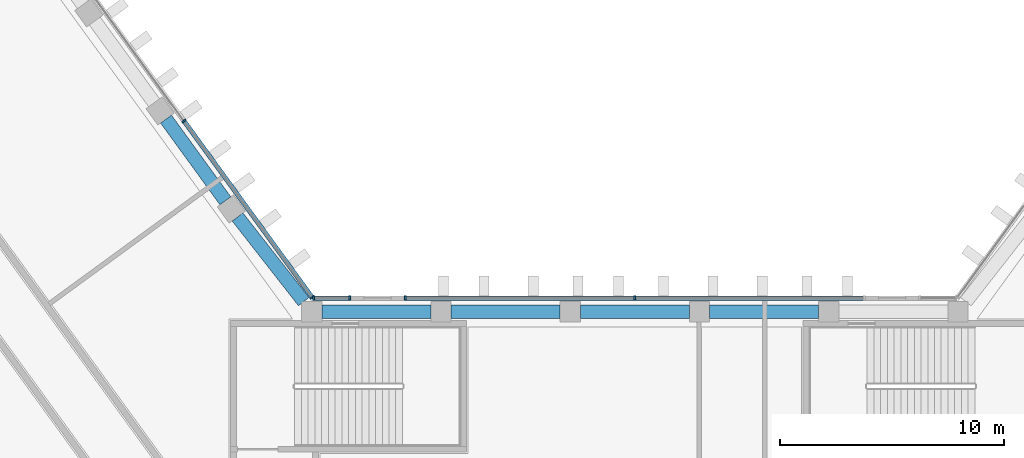
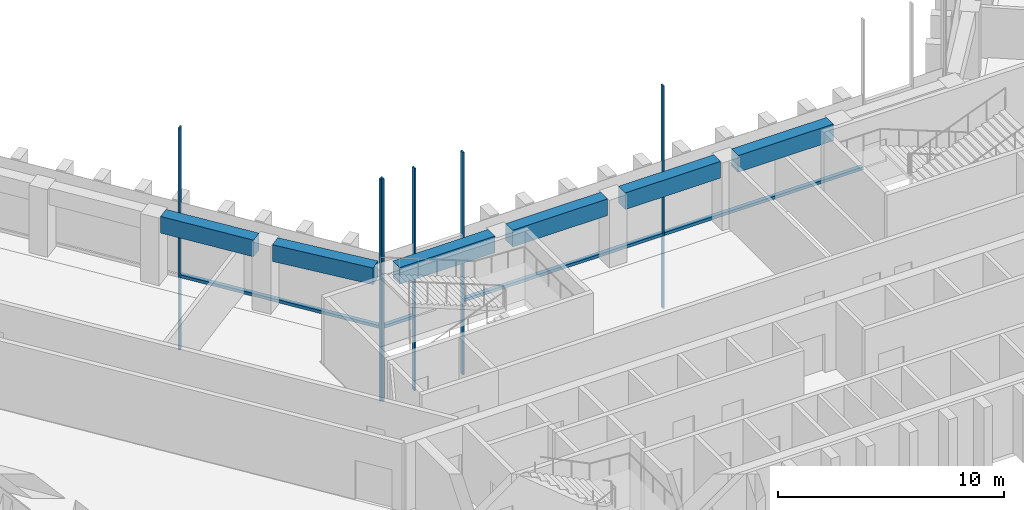
# One storey, part 3 of 16: 10 members, 6 beams, 3 elements without a shape of their own.
"""IFC4 building model written with IfcOpenShell, lengths in metres."""

import ifcopenshell
import ifcopenshell.guid

model = None  # the IFC model being written
_history = None  # IfcOwnerHistory: only IFC2X3 demands one
_inside = {}  # id of a spatial element -> (the spatial element, [elements in it])
_under = {}  # id of a project, library or spatial element -> (it, [spatial elements below it])
_declared = {}  # id of a project -> (the project, [libraries it declares])
_typed = {}  # id of a type object -> (the type object, [elements of that type])
_made_of = {}  # id of a material, layer set ... -> (it, [elements and type objects made of it])


def new_model(schema):
    """Start an empty IFC model of exactly this schema.

    Asked for "IFC4X3", IfcOpenShell would pick the latest addendum, in which some entities
    have other attributes; the version numbers below select the first issue.
    IFC2X3 requires an IfcOwnerHistory on every rooted entity: one is made here for all.
    """
    global model, _history
    if schema == "IFC4X3":
        model = ifcopenshell.file(schema_version=(4, 3, 0, 0))
    else:
        model = ifcopenshell.file(schema=schema)
    _inside.clear()
    _under.clear()
    _declared.clear()
    _typed.clear()
    _made_of.clear()
    _history = None
    if model.schema == "IFC2X3":
        org = make("IfcOrganization", Name="unknown")
        user = make(
            "IfcPersonAndOrganization",
            ThePerson=make("IfcPerson", FamilyName="unknown"),
            TheOrganization=org,
        )
        app = make(
            "IfcApplication",
            ApplicationDeveloper=org,
            Version="unknown",
            ApplicationFullName="unknown",
            ApplicationIdentifier="unknown",
        )
        _history = make(
            "IfcOwnerHistory",
            OwningUser=user,
            OwningApplication=app,
            ChangeAction="ADDED",
            CreationDate=0,
        )
    return model


def make(cls, **values):
    """One entity of the class cls with the attributes given. An attribute that is None is left unset."""
    return model.create_entity(
        cls, **{name: value for name, value in values.items() if value is not None}
    )


def rooted(cls, **values):
    """An entity with a GlobalId (a new one), such as an element, a storey or a relation."""
    return make(cls, GlobalId=ifcopenshell.guid.new(), OwnerHistory=_history, **values)


def si_unit(unit_type, name, prefix=None):
    """IfcSIUnit, for example si_unit("LENGTHUNIT", "METRE", prefix="MILLI")."""
    return make("IfcSIUnit", UnitType=unit_type, Prefix=prefix, Name=name)


def assignment(units):
    """IfcUnitAssignment: the units of a project."""
    return None if units is None else make("IfcUnitAssignment", Units=units)


def point(xyz):
    """IfcCartesianPoint."""
    return None if xyz is None else make("IfcCartesianPoint", Coordinates=xyz)


def direction(xyz):
    """IfcDirection."""
    return None if xyz is None else make("IfcDirection", DirectionRatios=xyz)


def frame(location, z_axis=None, x_axis=None):
    """IfcAxis2Placement3D, a coordinate frame: its origin and axes. An axis left out is left unset."""
    return make(
        "IfcAxis2Placement3D",
        Location=point(location),
        Axis=direction(z_axis),
        RefDirection=direction(x_axis),
    )


def frame_2d(location, x_axis=None):
    """IfcAxis2Placement2D, a coordinate frame in the plane: its origin and x axis."""
    return make(
        "IfcAxis2Placement2D", Location=point(location), RefDirection=direction(x_axis)
    )


def origin():
    """The frame at (0, 0, 0) with its axes left unset."""
    return frame((0.0, 0.0, 0.0))


def origin_2d():
    """The frame at (0, 0) in the plane with its x axis left unset."""
    return frame_2d((0.0, 0.0))


def place(relative_to, where):
    """IfcLocalPlacement: puts the frame where relative to a parent placement (None: the world)."""
    return make(
        "IfcLocalPlacement", PlacementRelTo=relative_to, RelativePlacement=where
    )


def context(
    kind, dimensions, precision=None, world=None, true_north=None, identifier=None
):
    """IfcGeometricRepresentationContext, for example the 3D "Model" context."""
    return make(
        "IfcGeometricRepresentationContext",
        ContextIdentifier=identifier,
        ContextType=kind,
        CoordinateSpaceDimension=dimensions,
        Precision=precision,
        WorldCoordinateSystem=world,
        TrueNorth=true_north,
    )


def subcontext(parent, identifier, kind, view, scale=None):
    """IfcGeometricRepresentationSubContext, for example "Body" below "Model"."""
    return make(
        "IfcGeometricRepresentationSubContext",
        ContextIdentifier=identifier,
        ContextType=kind,
        ParentContext=parent,
        TargetScale=scale,
        TargetView=view,
    )


def project(units=None, contexts=None):
    """IfcProject with its units and contexts."""
    return rooted(
        "IfcProject",
        Name="project",
        RepresentationContexts=contexts,
        UnitsInContext=assignment(units),
    )


def spatial(cls, under=None, at=None, **own):
    """A site, building, storey or space (cls), placed at a placement, below another one or the project."""
    s = rooted(cls, ObjectPlacement=at, **own)
    if under is not None:
        _under.setdefault(under.id(), (under, []))[1].append(s)
    return s


def profile(cls, at=None, kind="AREA", **sizes):
    """A parametric profile (cls). Its sizes go by their IFC names, for example OverallWidth=200.0."""
    return make(cls, ProfileType=kind, Position=at, **sizes)


def rectangle(**sizes):
    """IfcRectangleProfileDef."""
    return profile("IfcRectangleProfileDef", **sizes)


def extrude(swept, where, along, depth):
    """IfcExtrudedAreaSolid: the profile swept, set in the frame where, extruded along a direction by depth."""
    return make(
        "IfcExtrudedAreaSolid",
        SweptArea=swept,
        Position=where,
        ExtrudedDirection=direction(along),
        Depth=depth,
    )


def shape(context_of_items, identifier, shape_type, items):
    """IfcShapeRepresentation: the items that make up one representation, for example the "Body"."""
    return make(
        "IfcShapeRepresentation",
        ContextOfItems=context_of_items,
        RepresentationIdentifier=identifier,
        RepresentationType=shape_type,
        Items=items,
    )


def material(Name=None, Category=None):
    """IfcMaterial."""
    return make("IfcMaterial", Name=Name, Category=Category)


def material_profile(
    of_material, cross_section, Name=None, Category=None, Priority=None
):
    """IfcMaterialProfile: a cross section and its material."""
    return make(
        "IfcMaterialProfile",
        Name=Name,
        Material=of_material,
        Profile=cross_section,
        Priority=Priority,
        Category=Category,
    )


def profile_set(profiles, Name=None, composite=None):
    """IfcMaterialProfileSet."""
    return make(
        "IfcMaterialProfileSet",
        Name=Name,
        MaterialProfiles=profiles,
        CompositeProfile=composite,
    )


def made_of(thing, what):
    """Note that an element or type object is made of a material, layer set ...; save() writes the relation."""
    if what is not None:
        _made_of.setdefault(what.id(), (what, []))[1].append(thing)
    return thing


def type_object(cls, material=None, **own):
    """A type object (cls), such as IfcWallType, which elements share."""
    return made_of(rooted(cls, **own), material)


def element(
    cls,
    number,
    at=None,
    inside=None,
    cuts=None,
    type_object=None,
    material=None,
    context=None,
    identifier="Body",
    shape_type=None,
    held_by="IfcProductDefinitionShape",
    body=None,
    shapes=None,
    **own,
):
    """One element of the class cls, such as IfcWall. Its Tag is "e" and its number.

    at: its placement. inside: the storey or other place that contains it. cuts: it is an
    opening in that element (IfcRelVoidsElement). A single representation is given by context,
    identifier, shape_type and body (its items); several are given by shapes. held_by: the class
    of the entity that holds the representations. save() writes the other relations.
    """
    e = rooted(cls, Tag="e%d" % number, ObjectPlacement=at, **own)
    if body is not None:
        shapes = [shape(context, identifier, shape_type, body)]
    if shapes is not None:
        e.Representation = make(held_by, Representations=shapes)
    if inside is not None:
        _inside.setdefault(inside.id(), (inside, []))[1].append(e)
    if cuts is not None:
        rooted(
            "IfcRelVoidsElement", RelatingBuildingElement=cuts, RelatedOpeningElement=e
        )
    if type_object is not None:
        _typed.setdefault(type_object.id(), (type_object, []))[1].append(e)
    return made_of(e, material)


def aggregate(whole, parts):
    """IfcRelAggregates: a whole, such as a stair, and the parts it consists of."""
    return rooted("IfcRelAggregates", RelatingObject=whole, RelatedObjects=parts)


def save(model, path):
    """Write the relations noted so far, then the file.

    IfcRelAggregates (storeys below a building ...), IfcRelContainedInSpatialStructure (elements
    in a storey), IfcRelDefinesByType, IfcRelAssociatesMaterial and IfcRelDeclares: one each for
    every whole, place, type object, material and project.
    """
    for whole, parts in _under.values():
        aggregate(whole, parts)
    for where, things in _inside.values():
        rooted(
            "IfcRelContainedInSpatialStructure",
            RelatedElements=things,
            RelatingStructure=where,
        )
    for kind, things in _typed.values():
        rooted("IfcRelDefinesByType", RelatedObjects=things, RelatingType=kind)
    for what, things in _made_of.values():
        rooted("IfcRelAssociatesMaterial", RelatedObjects=things, RelatingMaterial=what)
    for by, libraries in _declared.values():
        rooted("IfcRelDeclares", RelatingContext=by, RelatedDefinitions=libraries)
    model.write(path)


model = new_model("IFC4")

# Units and contexts
model_context = context("Model", 3, precision=1e-05, world=origin(), true_north=direction((0.0, 1.0)))
body_context = subcontext(model_context, "Body", "Model", "MODEL_VIEW")
ifc_project = project(units=[si_unit("LENGTHUNIT", "METRE"), si_unit("AREAUNIT", "SQUARE_METRE"), si_unit("VOLUMEUNIT", "CUBIC_METRE"), si_unit("PLANEANGLEUNIT", "RADIAN"), si_unit("MASSUNIT", "GRAM", prefix="KILO")], contexts=[model_context])

# Site, building, storey
site_placement = place(None, origin())
site = spatial("IfcSite", under=ifc_project, at=site_placement, CompositionType="ELEMENT")
building_placement = place(site_placement, origin())
building = spatial("IfcBuilding", under=site, at=building_placement, Name="Quipu Civic Tower", CompositionType="ELEMENT")
storey_placement = place(building_placement, frame((0.0, 0.0, 125.0)))
storey = spatial("IfcBuildingStorey", under=building, at=storey_placement, Name="L29", CompositionType="ELEMENT", Elevation=125.0)

# Curtain wall, members
ifc_material_1 = material(Name="Insulated glass unit", Category="glass")
curtain_wall_type = type_object("IfcCurtainWallType", Name="Office curtain wall CW1", PredefinedType="NOTDEFINED", material=ifc_material_1)
curtain_wall_1_placement = place(storey_placement, origin())
curtain_wall_1 = element("IfcCurtainWall", 1, at=curtain_wall_1_placement, inside=storey, type_object=curtain_wall_type, Name="Office curtain wall CW1 L28 run 1", PredefinedType="NOTDEFINED")
ifc_material_2 = material(Name="Anodised aluminium", Category="aluminium")
ifc_material_profile_1 = material_profile(ifc_material_2, rectangle(XDim=0.199951171875, YDim=0.080078125, at=origin_2d()), Name="RECT 200x80")
ifc_profile_set_1 = profile_set([ifc_material_profile_1], Name="Anodised aluminium")
member_type_1 = type_object("IfcMemberType", Name="Mullion CW1", PredefinedType="MULLION", material=ifc_profile_set_1)
member_1_placement = place(storey_placement, frame((-14.36767578125, 11.13232421875, -3.919921875), z_axis=(0.0, 0.0, 1.0), x_axis=(-0.809016532822, -0.587785887566, 0.0)))
member_1 = element("IfcMember", 2, at=member_1_placement, type_object=member_type_1, Name="CW1 mullion 1", PredefinedType="MULLION", context=body_context, shape_type="SweptSolid", body=[
    extrude(rectangle(XDim=0.199951171875, YDim=0.080078125, at=origin_2d()), origin(), (0.0, 0.0, 1.0), 12.0),
])
member_2_placement = place(storey_placement, frame((-20.08154296875, 18.996826171875, -3.919921875), z_axis=(0.0, 0.0, 1.0), x_axis=(-0.809016532822, -0.587785887566, 0.0)))
member_2 = element("IfcMember", 3, at=member_2_placement, type_object=member_type_1, Name="CW1 mullion 2", PredefinedType="MULLION", context=body_context, shape_type="SweptSolid", body=[
    extrude(rectangle(XDim=0.199951171875, YDim=0.080078125, at=origin_2d()), origin(), (0.0, 0.0, 1.0), 12.0),
])

curtain_wall_2_placement = place(storey_placement, origin())
curtain_wall_2 = element("IfcCurtainWall", 4, at=curtain_wall_2_placement, inside=storey, type_object=curtain_wall_type, Name="Office curtain wall CW1 L28 run 33", PredefinedType="NOTDEFINED")
member_3_placement = place(storey_placement, frame((0.0, 11.10009765625, -3.919921875), z_axis=(0.0, 0.0, 1.0), x_axis=(0.0, -1.0, 0.0)))
member_3 = element("IfcMember", 5, at=member_3_placement, type_object=member_type_1, Name="CW1 mullion 2", PredefinedType="MULLION", context=body_context, shape_type="SweptSolid", body=[
    extrude(rectangle(XDim=0.199951171875, YDim=0.080078125, at=origin_2d()), origin(), (0.0, 0.0, 1.0), 12.0),
])
member_4_placement = place(storey_placement, frame((-10.223388671875, 11.10009765625, -3.919921875), z_axis=(0.0, 0.0, 1.0), x_axis=(0.0, -1.0, 0.0)))
member_4 = element("IfcMember", 6, at=member_4_placement, type_object=member_type_1, Name="CW1 mullion 3", PredefinedType="MULLION", context=body_context, shape_type="SweptSolid", body=[
    extrude(rectangle(XDim=0.199951171875, YDim=0.080078125, at=origin_2d()), origin(), (0.0, 0.0, 1.0), 12.0),
])

curtain_wall_3_placement = place(storey_placement, origin())
curtain_wall_3 = element("IfcCurtainWall", 7, at=curtain_wall_3_placement, inside=storey, type_object=curtain_wall_type, Name="Office curtain wall CW1 L28 run 35", PredefinedType="NOTDEFINED")
member_5_placement = place(storey_placement, frame((-12.695068359375, 11.10009765625, -3.919921875), z_axis=(0.0, 0.0, 1.0), x_axis=(0.0, -1.0, 0.0)))
member_5 = element("IfcMember", 8, at=member_5_placement, type_object=member_type_1, Name="CW1 mullion 1", PredefinedType="MULLION", context=body_context, shape_type="SweptSolid", body=[
    extrude(rectangle(XDim=0.199951171875, YDim=0.080078125, at=origin_2d()), origin(), (0.0, 0.0, 1.0), 12.0),
])
member_6_placement = place(storey_placement, frame((-14.30419921875, 11.10009765625, -3.919921875), z_axis=(0.0, 0.0, 1.0), x_axis=(0.0, -1.0, 0.0)))
member_6 = element("IfcMember", 9, at=member_6_placement, type_object=member_type_1, Name="CW1 mullion 2", PredefinedType="MULLION", context=body_context, shape_type="SweptSolid", body=[
    extrude(rectangle(XDim=0.199951171875, YDim=0.080078125, at=origin_2d()), origin(), (0.0, 0.0, 1.0), 12.0),
])

# Beams
ifc_material_3 = material(Name="Concrete C50/60", Category="concrete")
ifc_material_profile_2 = material_profile(ifc_material_3, rectangle(XDim=0.60009765625, YDim=0.89990234375, at=origin_2d()), Name="RC600x900")
ifc_profile_set_2 = profile_set([ifc_material_profile_2], Name="Concrete C50/60")
beam_type = type_object("IfcBeamType", Name="Spandrel beam RC 600x900 C50/60", PredefinedType="SPANDREL", material=ifc_profile_set_2)
beam_1_placement = place(storey_placement, frame((-18.238037109375, 15.43896484375, 3.199951171875), z_axis=(-0.587716763865, 0.809066749701, 0.0), x_axis=(-0.809066749701, -0.587716763865, 0.0)))
element("IfcBeam", 10, at=beam_1_placement, inside=storey, type_object=beam_type, Name="Spandrel beam L29 W-IN-01 to W-IN-02", PredefinedType="SPANDREL", context=body_context, shape_type="SweptSolid", body=[
    extrude(rectangle(XDim=0.60009765625, YDim=0.89990234375, at=origin_2d()), origin(), (0.0, 0.0, 1.0), 4.5),
])
for number, where, z_axis, x_axis, name in (
    (11, (8.18701171875, 10.5, 3.199951171875), (-1.0, 0.0, 0.0), (0.0, -1.0, 0.0), "Spandrel beam L29 FRONT-01 to FRONT-02"),
    (12, (2.428955078125, 10.5, 3.199951171875), (-1.0, 0.0, 0.0), (0.0, -1.0, 0.0), "Spandrel beam L29 FRONT-02 to FRONT-03"),
    (13, (-3.3291015625, 10.5, 3.199951171875), (-1.0, 0.0, 0.0), (0.0, -1.0, 0.0), "Spandrel beam L29 FRONT-03 to FRONT-04"),
):
    element("IfcBeam", number, at=place(storey_placement, frame(where, z_axis=z_axis, x_axis=x_axis)), inside=storey, type_object=beam_type, Name=name, PredefinedType="SPANDREL", context=body_context, shape_type="SweptSolid", body=[
        extrude(rectangle(XDim=0.60009765625, YDim=0.89990234375, at=origin_2d()), origin(), (0.0, 0.0, 1.0), 4.85791015625),
    ])
beam_2_placement = place(storey_placement, frame((-9.087158203125, 10.5, 3.199951171875), z_axis=(-1.0, 0.0, 0.0), x_axis=(0.0, -1.0, 0.0)))
element("IfcBeam", 14, at=beam_2_placement, inside=storey, type_object=beam_type, Name="Spandrel beam L29 FRONT-04 to J-Wi.0", PredefinedType="SPANDREL", context=body_context, shape_type="SweptSolid", body=[
    extrude(rectangle(XDim=0.60009765625, YDim=0.89990234375, at=origin_2d()), origin(), (0.0, 0.0, 1.0), 4.858154296875),
])
beam_3_placement = place(storey_placement, frame((-14.7470703125, 10.949951171875, 3.199951171875), z_axis=(-0.616123961998, 0.787649200756, 0.0), x_axis=(-0.787649200756, -0.616123961998, 0.0)))
element("IfcBeam", 15, at=beam_3_placement, inside=storey, type_object=beam_type, Name="Spandrel beam L29 J-Wi.0 to W-IN-01", PredefinedType="SPANDREL", context=body_context, shape_type="SweptSolid", body=[
    extrude(rectangle(XDim=0.60009765625, YDim=0.89990234375, at=origin_2d()), origin(), (0.0, 0.0, 1.0), 4.78662109375),
])

# Member
ifc_material_4 = material(Name="Anodised aluminium", Category="aluminium")
ifc_material_profile_3 = material_profile(ifc_material_4, rectangle(XDim=0.199951171875, YDim=0.159912109375, at=origin_2d()), Name="RECT 200x160")
ifc_profile_set_3 = profile_set([ifc_material_profile_3], Name="Anodised aluminium")
member_type_2 = type_object("IfcMemberType", Name="Transom CW1", PredefinedType="USERDEFINED", material=ifc_profile_set_3)
member_7_placement = place(storey_placement, frame((-14.39111328125, 11.164794921875, 0.080078125), z_axis=(-0.58779220199, 0.809011945079, 0.0), x_axis=(-0.809011945079, -0.58779220199, 0.0)))
member_7 = element("IfcMember", 16, at=member_7_placement, type_object=member_type_2, Name="CW1 transom 1.2", ObjectType="TRANSOM", PredefinedType="USERDEFINED", context=body_context, shape_type="SweptSolid", body=[
    extrude(rectangle(XDim=0.199951171875, YDim=0.159912109375, at=origin_2d()), origin(), (0.0, 0.0, 1.0), 9.64111328125),
])

aggregate(curtain_wall_1, [member_1, member_2, member_7])

member_8_placement = place(storey_placement, frame((10.18359375, 11.10009765625, 0.080078125), z_axis=(-1.0, 0.0, 0.0), x_axis=(0.0, -1.0, 0.0)))
member_8 = element("IfcMember", 17, at=member_8_placement, type_object=member_type_2, Name="CW1 transom 1.2", ObjectType="TRANSOM", PredefinedType="USERDEFINED", context=body_context, shape_type="SweptSolid", body=[
    extrude(rectangle(XDim=0.199951171875, YDim=0.159912109375, at=origin_2d()), origin(), (0.0, 0.0, 1.0), 10.1435546875),
])

member_9_placement = place(storey_placement, frame((-0.0400390625, 11.10009765625, 0.080078125), z_axis=(-1.0, 0.0, 0.0), x_axis=(0.0, -1.0, 0.0)))
member_9 = element("IfcMember", 18, at=member_9_placement, type_object=member_type_2, Name="CW1 transom 2.2", ObjectType="TRANSOM", PredefinedType="USERDEFINED", context=body_context, shape_type="SweptSolid", body=[
    extrude(rectangle(XDim=0.199951171875, YDim=0.159912109375, at=origin_2d()), origin(), (0.0, 0.0, 1.0), 10.1435546875),
])

aggregate(curtain_wall_2, [member_3, member_4, member_8, member_9])

member_10_placement = place(storey_placement, frame((-12.735107421875, 11.10009765625, 0.080078125), z_axis=(-1.0, 0.0, 0.0), x_axis=(0.0, -1.0, 0.0)))
member_10 = element("IfcMember", 19, at=member_10_placement, type_object=member_type_2, Name="CW1 transom 1.2", ObjectType="TRANSOM", PredefinedType="USERDEFINED", context=body_context, shape_type="SweptSolid", body=[
    extrude(rectangle(XDim=0.199951171875, YDim=0.159912109375, at=origin_2d()), origin(), (0.0, 0.0, 1.0), 1.529052734375),
])

aggregate(curtain_wall_3, [member_5, member_6, member_10])

save(model, "model.ifc")
